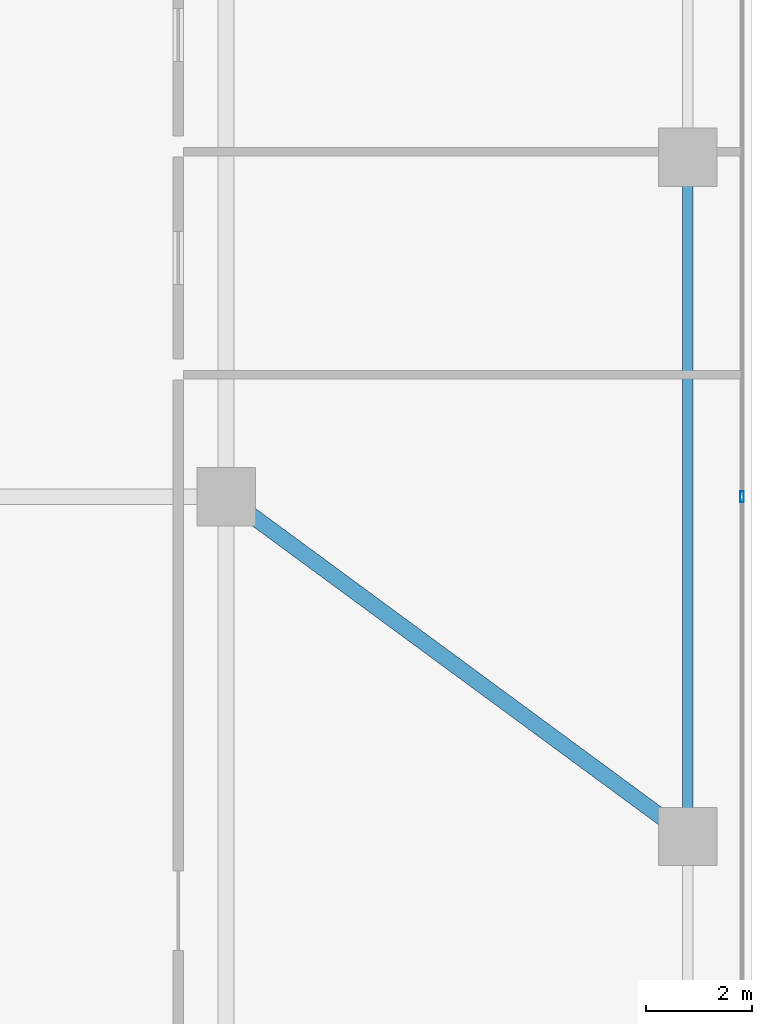
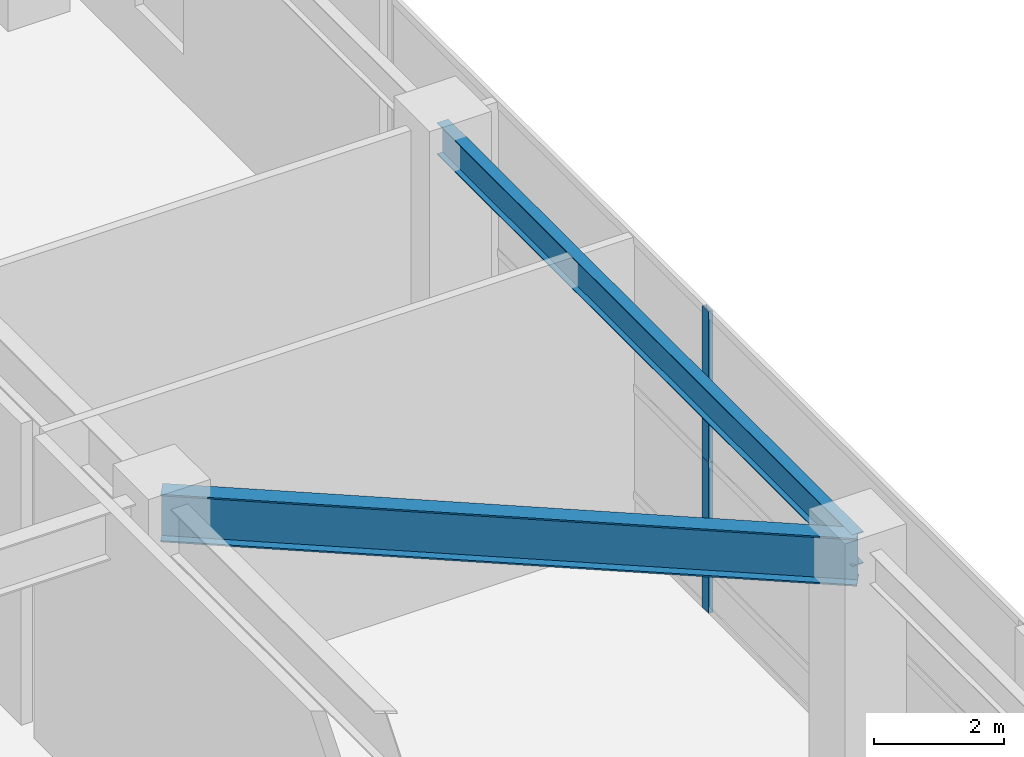
# One storey, part 29 of 39: 2 beams, 2 members, 1 element without a shape of its own.
"""IFC4 building model written with IfcOpenShell, lengths in metres."""

from ifc_helpers import new_model, si_unit, direction, frame, origin, origin_2d, place, context, subcontext, project, spatial, hollow_rectangle, i_section, extrude, source, transform, mapped, material, layer, layer_set, material_profile, profile_set, type_object, element, aggregate, save


model = new_model("IFC4")

# Units and contexts
model_context = context("Model", 3, precision=1e-05, world=origin(), true_north=direction((0.0, 1.0)))
body_context = subcontext(model_context, "Body", "Model", "MODEL_VIEW")
ifc_project = project(units=[si_unit("LENGTHUNIT", "METRE"), si_unit("AREAUNIT", "SQUARE_METRE"), si_unit("VOLUMEUNIT", "CUBIC_METRE"), si_unit("PLANEANGLEUNIT", "RADIAN"), si_unit("MASSUNIT", "GRAM", prefix="KILO"), si_unit("THERMODYNAMICTEMPERATUREUNIT", "KELVIN"), si_unit("POWERUNIT", "WATT")], contexts=[model_context])

# Site, building, storey
site_placement = place(None, origin())
site = spatial("IfcSite", under=ifc_project, at=site_placement, CompositionType="ELEMENT")
building_placement = place(site_placement, origin())
building = spatial("IfcBuilding", under=site, at=building_placement, Name="Yuzanri Waterfront Tower", CompositionType="ELEMENT")
storey_placement = place(building_placement, frame((0.0, 0.0, 19.800048828125)))
storey = spatial("IfcBuildingStorey", under=building, at=storey_placement, Name="L05", CompositionType="ELEMENT", Elevation=19.800048828125)

# Beams
ifc_material_1 = material(Name="Steel Q355B", Category="steel")
ifc_material_profile_1 = material_profile(ifc_material_1, i_section(OverallWidth=0.199951171875, OverallDepth=0.60009765625, WebThickness=0.010986328125, FlangeThickness=0.01708984375, at=origin_2d()), Name="HN 600x200x11x17")
ifc_profile_set_1 = profile_set([ifc_material_profile_1], Name="Steel Q355B")
beam_type_1 = type_object("IfcBeamType", Name="Perimeter Spandrel Q355B HN 600x200", PredefinedType="SPANDREL", material=ifc_profile_set_1)
shared_shape_1 = source(origin(), body_context, "Body", "SweptSolid", [
    extrude(i_section(OverallWidth=0.199951171875, OverallDepth=0.60009765625, WebThickness=0.010986328125, FlangeThickness=0.01708984375, at=origin_2d()), origin(), (0.0, 0.0, 1.0), 12.800048828125),
])
beam_1_placement = place(storey_placement, frame((70.800048828125, 19.39990234375, 5.3798828125), z_axis=(0.0, 1.0, 0.0), x_axis=(-1.0, 0.0, 0.0)))
element("IfcBeam", 1, at=beam_1_placement, inside=storey, type_object=beam_type_1, Name="L05 East Podium Spandrel 2", PredefinedType="SPANDREL", context=body_context, shape_type="MappedRepresentation", body=[
    mapped(shared_shape_1, transform((0.0, 0.0, 0.0), scale=1.0)),
])
ifc_material_2 = material(Name="Steel Q355B", Category="steel")
ifc_material_profile_2 = material_profile(ifc_material_2, i_section(OverallWidth=0.300048828125, OverallDepth=0.89990234375, WebThickness=0.01611328125, FlangeThickness=0.028076171875, at=origin_2d()), Name="HN 900x300x16x28")
ifc_profile_set_2 = profile_set([ifc_material_profile_2], Name="Steel Q355B")
beam_type_2 = type_object("IfcBeamType", Name="Primary Podium Girder Q355B HN 900x300", PredefinedType="BEAM", material=ifc_profile_set_2)
shared_shape_2 = source(origin(), body_context, "Body", "SweptSolid", [
    extrude(i_section(OverallWidth=0.300048828125, OverallDepth=0.89990234375, WebThickness=0.01611328125, FlangeThickness=0.028076171875, at=origin_2d()), origin(), (0.0, 0.0, 1.0), 10.800537109375),
])
beam_2_placement = place(storey_placement, frame((62.10009765625, 25.800048828125, 5.22998046875), z_axis=(0.805512964712, -0.592578149851, 0.0), x_axis=(0.592578149851, 0.805512964712, 0.0)))
element("IfcBeam", 2, at=beam_2_placement, inside=storey, type_object=beam_type_2, Name="L05 Podium East Girder 2", PredefinedType="BEAM", context=body_context, shape_type="MappedRepresentation", body=[
    mapped(shared_shape_2, transform((0.0, 0.0, 0.0), scale=1.0)),
])

# Curtain wall, members
ifc_material_3 = material(Name="Anodized Architectural Bronze", Category="metal")
ifc_layer = layer(ifc_material_3, 0.159912109375)
ifc_layer_set = layer_set([ifc_layer], Name="Anodized Architectural Bronze")
curtain_wall_type = type_object("IfcCurtainWallType", Name="Anodized Bronze Podium Waterfront Double-Height Unitized Curtain Wall 8400", PredefinedType="NOTDEFINED", material=ifc_layer_set)
curtain_wall_placement = place(storey_placement, origin())
curtain_wall = element("IfcCurtainWall", 3, at=curtain_wall_placement, inside=storey, type_object=curtain_wall_type, Name="L05 Curtain Wall CW-L05-E", PredefinedType="NOTDEFINED")
ifc_material_4 = material(Name="Anodized Architectural Bronze", Category="metal")
ifc_material_profile_3 = material_profile(ifc_material_4, hollow_rectangle(XDim=0.074951171875, YDim=0.199951171875, WallThickness=0.00390625, at=origin_2d()), Name="CWM 75x200")
ifc_profile_set_3 = profile_set([ifc_material_profile_3], Name="Anodized Architectural Bronze")
member_type = type_object("IfcMemberType", Name="Anodized Bronze Primary Curtain-Wall Mullion 75x200", PredefinedType="MULLION", material=ifc_profile_set_3)
shared_shape_3 = source(origin(), body_context, "Body", "SweptSolid", [
    extrude(hollow_rectangle(XDim=0.074951171875, YDim=0.199951171875, WallThickness=0.00390625, at=origin_2d()), origin(), (0.0, 0.0, 1.0), 2.837890625),
])
member_1_placement = place(storey_placement, frame((71.820068359375, 25.800048828125, 0.0), z_axis=(0.0, 0.0, 1.0), x_axis=(1.0, 0.0, 0.0)))
member_1 = element("IfcMember", 4, at=member_1_placement, type_object=member_type, Name="CW-L05-E Lower Mullion 01", PredefinedType="MULLION", context=body_context, shape_type="MappedRepresentation", body=[
    mapped(shared_shape_3, transform((0.0, 0.0, 0.0), scale=1.0)),
])
member_2_placement = place(storey_placement, frame((71.820068359375, 25.800048828125, 2.842041015625), z_axis=(0.0, 0.0, 1.0), x_axis=(1.0, 0.0, 0.0)))
member_2 = element("IfcMember", 5, at=member_2_placement, type_object=member_type, Name="CW-L05-E Upper Mullion 01", PredefinedType="MULLION", context=body_context, shape_type="MappedRepresentation", body=[
    mapped(shared_shape_3, transform((0.0, 0.0, 0.0), scale=1.0)),
])
aggregate(curtain_wall, [member_1, member_2])

save(model, "model.ifc")
